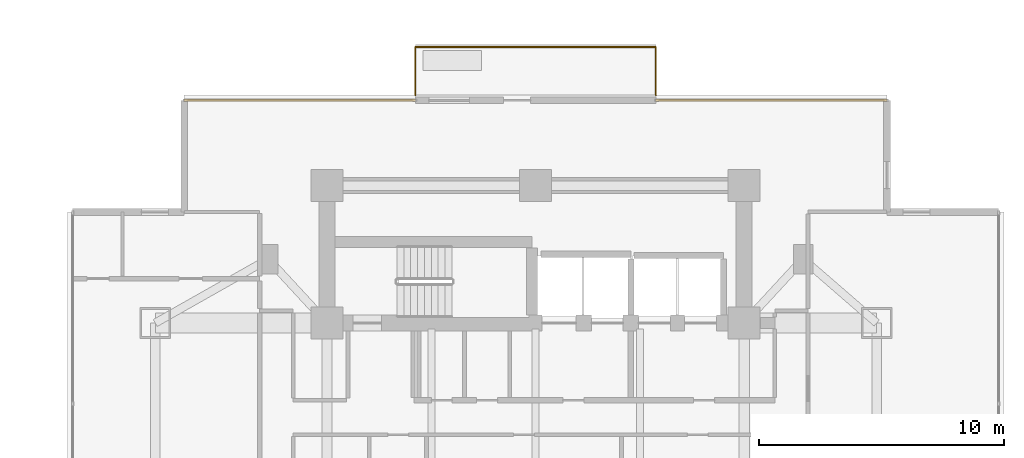
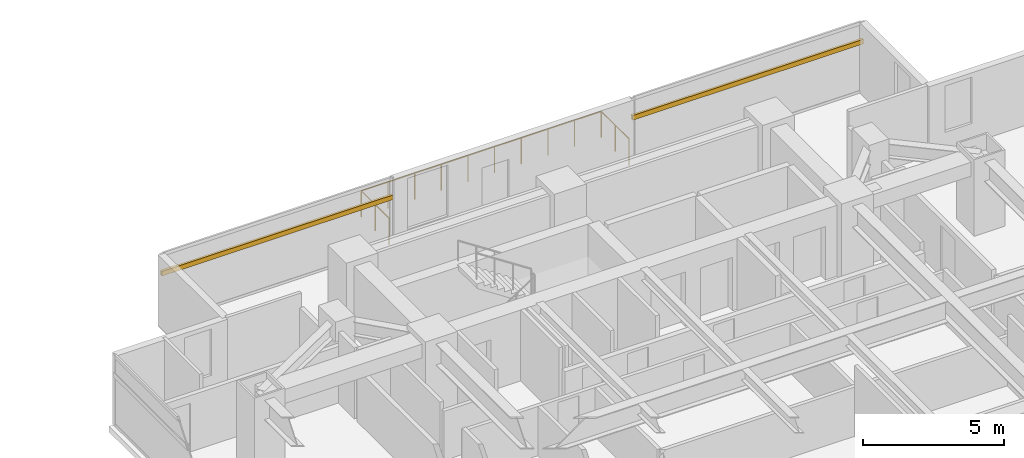
# One storey, part 24 of 24: 3 railings, 2 shading devices.
"""IFC4 building model written with IfcOpenShell, lengths in metres."""

from ifc_helpers import new_model, si_unit, direction, frame, origin, origin_2d, place, context, subcontext, project, spatial, rectangle, circle, extrude, material, material_profile, profile_set, type_object, element, save


model = new_model("IFC4")

# Units and contexts
model_context = context("Model", 3, precision=1e-05, world=origin(), true_north=direction((0.0, 1.0)))
body_context = subcontext(model_context, "Body", "Model", "MODEL_VIEW")
ifc_project = project(units=[si_unit("LENGTHUNIT", "METRE"), si_unit("AREAUNIT", "SQUARE_METRE"), si_unit("VOLUMEUNIT", "CUBIC_METRE"), si_unit("PLANEANGLEUNIT", "RADIAN"), si_unit("MASSUNIT", "GRAM", prefix="KILO")], contexts=[model_context])

# Site, building, storey
site_placement = place(None, origin())
site = spatial("IfcSite", under=ifc_project, at=site_placement, CompositionType="ELEMENT")
building_placement = place(site_placement, origin())
building = spatial("IfcBuilding", under=site, at=building_placement, Name="Mirazonda Arch Towers", CompositionType="ELEMENT")
storey_placement = place(building_placement, frame((0.0, 0.0, 71.89990234375)))
storey = spatial("IfcBuildingStorey", under=building, at=storey_placement, Name="L20", CompositionType="ELEMENT", Elevation=71.89990234375)

# Shading devices
ifc_material_1 = material(Name="Kiln-Fired Architectural Terracotta", Category="masonry")
ifc_material_profile = material_profile(ifc_material_1, rectangle(XDim=0.10009765625, YDim=0.199951171875, at=origin_2d()), Name="TERRA-BAG-100x200")
ifc_profile_set = profile_set([ifc_material_profile], Name="Kiln-Fired Architectural Terracotta")
shading_device_type = type_object("IfcShadingDeviceType", Name="BAGUETTE-2", PredefinedType="USERDEFINED", material=ifc_profile_set)
for number, where, z_axis, x_axis, name in (
    (1, (62.177978515625, 44.27587890625, 2.18896484375), (1.0, 0.0, 0.0), (0.0, 1.0, 0.0), "L20 Glazed Terracotta Sun-Screen Baguette CW-L20-T2-NA"),
    (2, (81.389892578125, 44.27587890625, 2.18896484375), (1.0, 0.0, 0.0), (0.0, 1.0, 0.0), "L20 Glazed Terracotta Sun-Screen Baguette CW-L20-T2-NB"),
):
    element("IfcShadingDevice", number, at=place(storey_placement, frame(where, z_axis=z_axis, x_axis=x_axis)), inside=storey, type_object=shading_device_type, Name=name, ObjectType="BAGUETTE", PredefinedType="USERDEFINED", context=body_context, shape_type="SweptSolid", body=[
        extrude(rectangle(XDim=0.10009765625, YDim=0.199951171875, at=origin_2d()), origin(), (0.0, 0.0, 1.0), 9.43212890625),
    ])

# Railings
ifc_material_2 = material(Name="Architectural Brushed Steel S355", Category="steel")
railing_type = type_object("IfcRailingType", Name="GUARD-EXT-1150", PredefinedType="GUARDRAIL", material=ifc_material_2)
railing_1_placement = place(storey_placement, frame((71.60009765625, 44.48583984375, 0.0)))
element("IfcRailing", 3, at=railing_1_placement, inside=storey, type_object=railing_type, Name="L20 T2 Sky-Terrace Guard 01", PredefinedType="GUARDRAIL", context=body_context, shape_type="SweptSolid", body=[
    extrude(circle(Radius=0.02392578125, at=origin_2d()), frame((0.0, 0.0, 1.1259765625), z_axis=(0.0, 1.0, 0.0), x_axis=(-1.0, 0.0, 0.0)), (0.0, 0.0, 1.0), 1.9599609375),
    extrude(circle(Radius=0.02099609375, at=origin_2d()), origin(), (0.0, 0.0, 1.0), 1.101806640625),
    extrude(circle(Radius=0.02099609375, at=origin_2d()), frame((0.0, 0.97998046875, 0.0)), (0.0, 0.0, 1.0), 1.101806640625),
    extrude(circle(Radius=0.02099609375, at=origin_2d()), frame((0.0, 1.9599609375, 0.0)), (0.0, 0.0, 1.0), 1.101806640625),
])
railing_2_placement = place(storey_placement, frame((71.60009765625, 46.44580078125, 0.0)))
element("IfcRailing", 4, at=railing_2_placement, inside=storey, type_object=railing_type, Name="L20 T2 Sky-Terrace Guard 02", PredefinedType="GUARDRAIL", context=body_context, shape_type="SweptSolid", body=[
    extrude(circle(Radius=0.02392578125, at=origin_2d()), frame((0.0, 0.0, 1.1259765625), z_axis=(1.0, 0.0, 0.0), x_axis=(0.0, 1.0, 0.0)), (0.0, 0.0, 1.0), 9.7998046875),
    extrude(circle(Radius=0.02099609375, at=origin_2d()), origin(), (0.0, 0.0, 1.0), 1.101806640625),
    extrude(circle(Radius=0.02099609375, at=origin_2d()), frame((1.0888671875, 0.0, 0.0)), (0.0, 0.0, 1.0), 1.101806640625),
    extrude(circle(Radius=0.02099609375, at=origin_2d()), frame((2.177734375, 0.0, 0.0)), (0.0, 0.0, 1.0), 1.101806640625),
    extrude(circle(Radius=0.02099609375, at=origin_2d()), frame((3.2666015625, 0.0, 0.0)), (0.0, 0.0, 1.0), 1.101806640625),
    extrude(circle(Radius=0.02099609375, at=origin_2d()), frame((4.35546875, 0.0, 0.0)), (0.0, 0.0, 1.0), 1.101806640625),
    extrude(circle(Radius=0.02099609375, at=origin_2d()), frame((5.4443359375, 0.0, 0.0)), (0.0, 0.0, 1.0), 1.101806640625),
    extrude(circle(Radius=0.02099609375, at=origin_2d()), frame((6.533203125, 0.0, 0.0)), (0.0, 0.0, 1.0), 1.101806640625),
    extrude(circle(Radius=0.02099609375, at=origin_2d()), frame((7.6220703125, 0.0, 0.0)), (0.0, 0.0, 1.0), 1.101806640625),
    extrude(circle(Radius=0.02099609375, at=origin_2d()), frame((8.7109375, 0.0, 0.0)), (0.0, 0.0, 1.0), 1.101806640625),
    extrude(circle(Radius=0.02099609375, at=origin_2d()), frame((9.7998046875, 0.0, 0.0)), (0.0, 0.0, 1.0), 1.101806640625),
])
railing_3_placement = place(storey_placement, frame((81.39990234375, 46.44580078125, 0.0)))
element("IfcRailing", 5, at=railing_3_placement, inside=storey, type_object=railing_type, Name="L20 T2 Sky-Terrace Guard 03", PredefinedType="GUARDRAIL", context=body_context, shape_type="SweptSolid", body=[
    extrude(circle(Radius=0.02392578125, at=origin_2d()), frame((0.0, 0.0, 1.1259765625), z_axis=(0.0, -1.0, 0.0), x_axis=(1.0, 0.0, 0.0)), (0.0, 0.0, 1.0), 1.9599609375),
    extrude(circle(Radius=0.02099609375, at=origin_2d()), origin(), (0.0, 0.0, 1.0), 1.101806640625),
    extrude(circle(Radius=0.02099609375, at=origin_2d()), frame((0.0, -0.97998046875, 0.0)), (0.0, 0.0, 1.0), 1.101806640625),
    extrude(circle(Radius=0.02099609375, at=origin_2d()), frame((0.0, -1.9599609375, 0.0)), (0.0, 0.0, 1.0), 1.101806640625),
])

save(model, "model.ifc")
